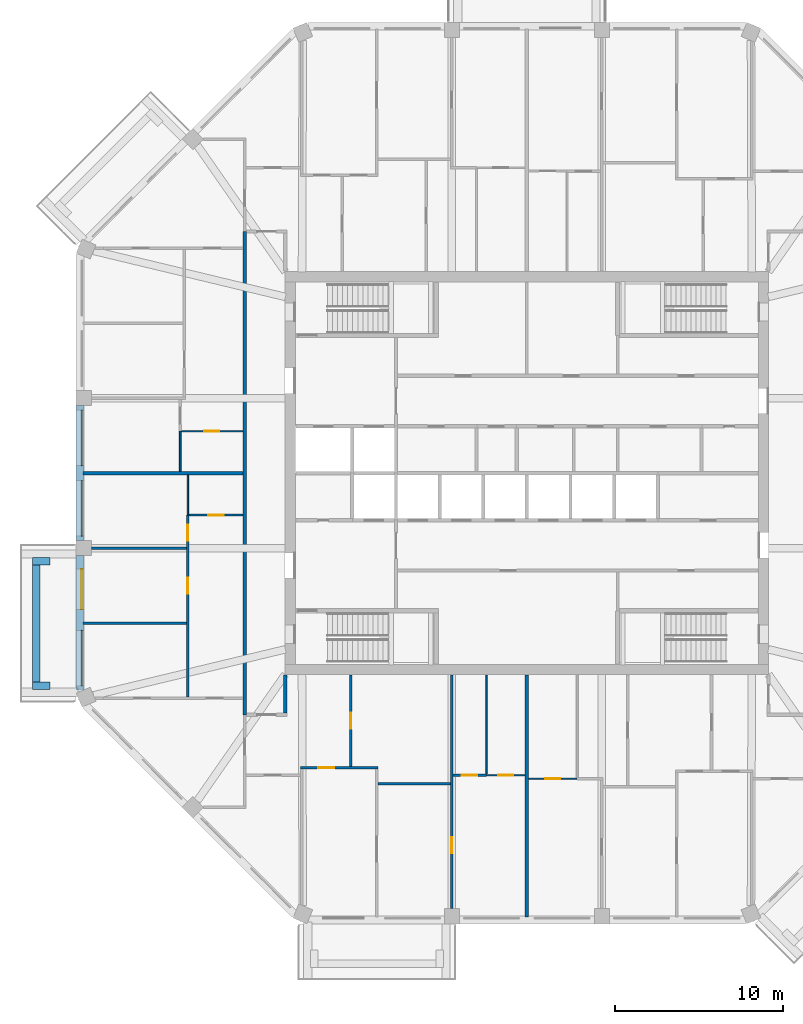
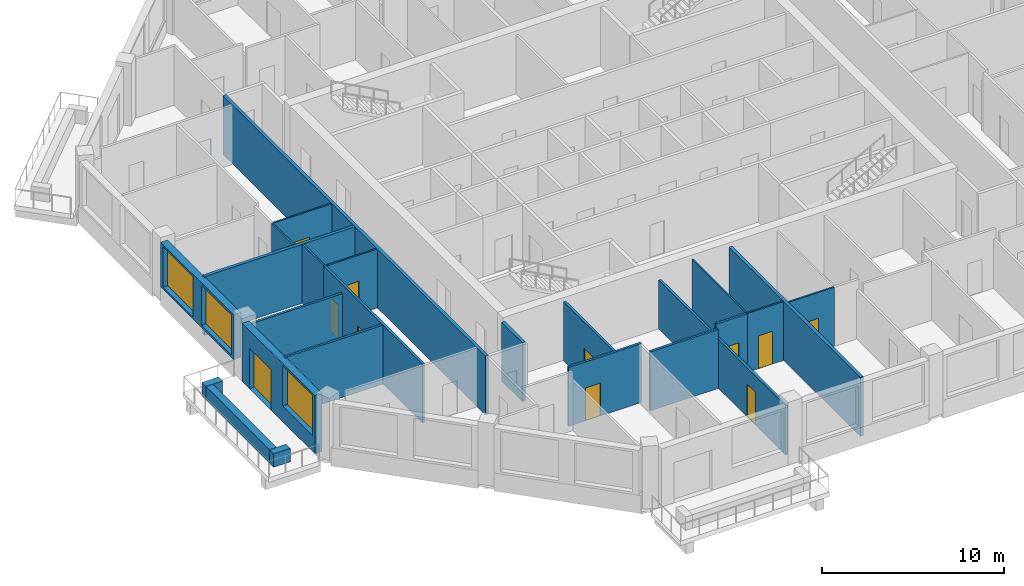
# One storey, part 3 of 11: 24 walls, 11 doors, 3 windows, 14 openings.
"""IFC4 building model written with IfcOpenShell, lengths in metres."""

from ifc_helpers import new_model, si_unit, direction, frame, frame_2d, origin, place, context, subcontext, project, spatial, rectangle, extrude, material, layer, layer_set, type_object, element, fill, save


model = new_model("IFC4")

# Units and contexts
model_context = context("Model", 3, precision=1e-05, world=origin(), true_north=direction((0.0, 1.0)))
body_context = subcontext(model_context, "Body", "Model", "MODEL_VIEW")
ifc_project = project(units=[si_unit("LENGTHUNIT", "METRE"), si_unit("AREAUNIT", "SQUARE_METRE"), si_unit("VOLUMEUNIT", "CUBIC_METRE"), si_unit("PLANEANGLEUNIT", "RADIAN"), si_unit("MASSUNIT", "GRAM", prefix="KILO")], contexts=[model_context])

# Site, building, storey
site_placement = place(None, origin())
site = spatial("IfcSite", under=ifc_project, at=site_placement, CompositionType="ELEMENT")
building_placement = place(site_placement, origin())
building = spatial("IfcBuilding", under=site, at=building_placement, Name="Msitu Wima Residences", CompositionType="ELEMENT")
storey_placement = place(building_placement, frame((0.0, 0.0, 230.699951171875)))
storey = spatial("IfcBuildingStorey", under=building, at=storey_placement, Name="L53", CompositionType="ELEMENT", Elevation=230.699951171875)

# Walls
ifc_material_1 = material(Name="Facing brick")
ifc_layer_1 = layer(ifc_material_1, 0.06494140625, Name="Facing brick")
ifc_material_2 = material(Name="Concrete C40/50", Category="concrete")
ifc_layer_2 = layer(ifc_material_2, 0.156005859375, Name="Concrete C40/50")
ifc_material_3 = material(Name="Waterproofing membrane")
ifc_layer_3 = layer(ifc_material_3, 0.00390625, Name="Waterproofing membrane")
ifc_material_4 = material(Name="Planting soil and planting")
ifc_layer_4 = layer(ifc_material_4, 0.22509765625, Name="Planting soil and planting")
ifc_layer_set_1 = layer_set([ifc_layer_1, ifc_layer_2, ifc_layer_3, ifc_layer_4], Name="Concrete C40/50")
wall_type_1 = type_object("IfcWallType", Name="Balcony planter PLANTER PL450", PredefinedType="USERDEFINED", material=ifc_layer_set_1)
wall_1_placement = place(storey_placement, frame((-29.22509765625, -5.468505859375, 0.0), z_axis=(0.0, 0.0, 1.0), x_axis=(0.0, -1.0, 0.0)))
element("IfcWall", 1, at=wall_1_placement, inside=storey, type_object=wall_type_1, Name="Balcony planter W2 L53", ObjectType="PLANTER", PredefinedType="USERDEFINED", context=body_context, shape_type="SweptSolid", body=[
    extrude(rectangle(XDim=6.9873046875, YDim=0.449951171875, at=frame_2d((3.49365234375, 0.0))), origin(), (0.0, 0.0, 1.0), 0.900146484375),
])
for number, where, z_axis, x_axis, name in (
    (2, (-28.39990234375, -5.24365234375, 0.0), (0.0, 0.0, 1.0), (-1.0, 0.0, 0.0), "Balcony planter W2 L53"),
    (3, (-28.39990234375, -12.680908203125, 0.0), (0.0, 0.0, 1.0), (-1.0, 0.0, 0.0), "Balcony planter W2 L53"),
):
    element("IfcWall", number, at=place(storey_placement, frame(where, z_axis=z_axis, x_axis=x_axis)), inside=storey, type_object=wall_type_1, Name=name, ObjectType="PLANTER", PredefinedType="USERDEFINED", context=body_context, shape_type="SweptSolid", body=[
        extrude(rectangle(XDim=1.050048828125, YDim=0.449951171875, at=frame_2d((0.52490234375, 0.0))), origin(), (0.0, 0.0, 1.0), 0.900146484375),
    ])

# Wall, openings, windows
ifc_material_5 = material(Name="Brick (red buff mix)", Category="masonry")
ifc_layer_5 = layer(ifc_material_5, 0.449951171875)
ifc_layer_set_2 = layer_set([ifc_layer_5], Name="Brick (red buff mix)")
wall_type_2 = type_object("IfcWallType", Name="Brick infill wall BW450", PredefinedType="SOLIDWALL", material=ifc_layer_set_2)
wall_2_placement = place(storey_placement, frame((-26.625, 4.0185546875, 0.900146484375), z_axis=(0.0, 0.0, 1.0), x_axis=(0.0, -1.0, 0.0)))
wall_2 = element("IfcWall", 4, at=wall_2_placement, inside=storey, type_object=wall_type_2, Name="Brick infill wall L53 W1", PredefinedType="SOLIDWALL", context=body_context, shape_type="SweptSolid", body=[
    extrude(rectangle(XDim=8.037109375, YDim=0.449951171875, at=frame_2d((4.0185546875, 0.0))), origin(), (0.0, 0.0, 1.0), 3.0),
])
opening_1_placement = place(wall_2_placement, frame((0.2685546875, 0.0, 0.14990234375)))
opening_1 = element("IfcOpeningElement", 5, at=opening_1_placement, cuts=wall_2, Name="Opening W52-54.031", PredefinedType="OPENING", context=body_context, shape_type="SweptSolid", body=[
    extrude(rectangle(XDim=3.300048828125, YDim=2.699951171875, at=frame_2d((1.64990234375, 1.35009765625))), frame((0.0, 0.23486328125, 0.0), z_axis=(0.0, -1.0, 0.0), x_axis=(1.0, 0.0, 0.0)), (0.0, 0.0, 1.0), 0.469970703125),
])
opening_2_placement = place(wall_2_placement, frame((4.46875, 0.0, 0.14990234375)))
opening_2 = element("IfcOpeningElement", 6, at=opening_2_placement, cuts=wall_2, Name="Opening W52-54.032", PredefinedType="OPENING", context=body_context, shape_type="SweptSolid", body=[
    extrude(rectangle(XDim=3.300048828125, YDim=2.699951171875, at=frame_2d((1.64990234375, 1.35009765625))), frame((0.0, 0.23486328125, 0.0), z_axis=(0.0, -1.0, 0.0), x_axis=(1.0, 0.0, 0.0)), (0.0, 0.0, 1.0), 0.469970703125),
])
ifc_material_6 = material(Name="Anodised aluminium, bronze finish, clear low-emissivity double glazing", Category="aluminium")
window_type = type_object("IfcWindowType", Name="Window W3300x2700", PartitioningType="DOUBLE_PANEL_VERTICAL", PredefinedType="WINDOW", material=ifc_material_6)
window_1_placement = place(opening_1_placement, origin())
window_1 = element("IfcWindow", 7, at=window_1_placement, inside=storey, type_object=window_type, Name="Window L53 W1.1", OverallHeight=2.699951171875, OverallWidth=3.300048828125, PartitioningType="SINGLE_PANEL", PredefinedType="WINDOW", context=body_context, shape_type="SweptSolid", body=[
    extrude(rectangle(XDim=3.300048828125, YDim=2.699951171875, at=frame_2d((1.64990234375, 1.35009765625))), frame((0.0, 0.135009765625, 0.0), z_axis=(0.0, -1.0, 0.0), x_axis=(1.0, 0.0, 0.0)), (0.0, 0.0, 1.0), 0.06005859375),
])
fill(opening_1, window_1)
window_2_placement = place(opening_2_placement, origin())
window_2 = element("IfcWindow", 8, at=window_2_placement, inside=storey, type_object=window_type, Name="Window L53 W1.2", OverallHeight=2.699951171875, OverallWidth=3.300048828125, PartitioningType="SINGLE_PANEL", PredefinedType="WINDOW", context=body_context, shape_type="SweptSolid", body=[
    extrude(rectangle(XDim=3.300048828125, YDim=2.699951171875, at=frame_2d((1.64990234375, 1.35009765625))), frame((0.0, 0.135009765625, 0.0), z_axis=(0.0, -1.0, 0.0), x_axis=(1.0, 0.0, 0.0)), (0.0, 0.0, 1.0), 0.06005859375),
])
fill(opening_2, window_2)

# Wall, openings, door, window
wall_3_placement = place(storey_placement, frame((-26.625, -4.918701171875, 0.0), z_axis=(0.0, 0.0, 1.0), x_axis=(0.0, -1.0, 0.0)))
wall_3 = element("IfcWall", 9, at=wall_3_placement, inside=storey, type_object=wall_type_2, Name="Brick infill wall L53 W2", PredefinedType="SOLIDWALL", context=body_context, shape_type="SweptSolid", body=[
    extrude(rectangle(XDim=8.0, YDim=0.449951171875, at=frame_2d((4.0, 0.0))), origin(), (0.0, 0.0, 1.0), 3.900146484375),
])
opening_3_placement = place(wall_3_placement, frame((0.800048828125, 0.0, 0.0)))
opening_3 = element("IfcOpeningElement", 10, at=opening_3_placement, cuts=wall_3, Name="Opening D52-54.007", PredefinedType="OPENING", context=body_context, shape_type="SweptSolid", body=[
    extrude(rectangle(XDim=2.39990234375, YDim=2.699951171875, at=frame_2d((1.199951171875, 1.35009765625))), frame((0.0, 0.23486328125, 0.0), z_axis=(0.0, -1.0, 0.0), x_axis=(1.0, 0.0, 0.0)), (0.0, 0.0, 1.0), 0.469970703125),
])
opening_4_placement = place(wall_3_placement, frame((4.4501953125, 0.0, 1.050048828125)))
opening_4 = element("IfcOpeningElement", 11, at=opening_4_placement, cuts=wall_3, Name="Opening W52-54.033", PredefinedType="OPENING", context=body_context, shape_type="SweptSolid", body=[
    extrude(rectangle(XDim=3.300048828125, YDim=2.699951171875, at=frame_2d((1.64990234375, 1.35009765625))), frame((0.0, 0.23486328125, 0.0), z_axis=(0.0, -1.0, 0.0), x_axis=(1.0, 0.0, 0.0)), (0.0, 0.0, 1.0), 0.469970703125),
])
door_type_1 = type_object("IfcDoorType", Name="Balcony door D2400x2700", OperationType="SLIDING_TO_LEFT", PredefinedType="DOOR", material=ifc_material_6)
door_1_placement = place(opening_3_placement, origin())
door_1 = element("IfcDoor", 12, at=door_1_placement, inside=storey, type_object=door_type_1, Name="Balcony door L53 W2", OperationType="SINGLE_SWING_LEFT", OverallHeight=2.699951171875, OverallWidth=2.39990234375, PredefinedType="DOOR", context=body_context, shape_type="SweptSolid", body=[
    extrude(rectangle(XDim=2.39990234375, YDim=2.699951171875, at=frame_2d((1.199951171875, 1.35009765625))), frame((0.0, 0.1298828125, 0.0), z_axis=(0.0, -1.0, 0.0), x_axis=(1.0, 0.0, 0.0)), (0.0, 0.0, 1.0), 0.050048828125),
])
fill(opening_3, door_1)
window_3_placement = place(opening_4_placement, origin())
window_3 = element("IfcWindow", 13, at=window_3_placement, inside=storey, type_object=window_type, Name="Window L53 W2.2", OverallHeight=2.699951171875, OverallWidth=3.300048828125, PartitioningType="SINGLE_PANEL", PredefinedType="WINDOW", context=body_context, shape_type="SweptSolid", body=[
    extrude(rectangle(XDim=3.300048828125, YDim=2.699951171875, at=frame_2d((1.64990234375, 1.35009765625))), frame((0.0, 0.135009765625, 0.0), z_axis=(0.0, -1.0, 0.0), x_axis=(1.0, 0.0, 0.0)), (0.0, 0.0, 1.0), 0.06005859375),
])
fill(opening_4, window_3)

# Walls
ifc_material_7 = material(Name="Plaster")
ifc_layer_6 = layer(ifc_material_7, 0.011962890625, Name="Plaster")
ifc_material_8 = material(Name="Concrete blockwork", Category="masonry")
ifc_layer_7 = layer(ifc_material_8, 0.176025390625, Name="Concrete blockwork")
ifc_layer_8 = layer(ifc_material_7, 0.011962890625, Name="Plaster")
ifc_layer_set_3 = layer_set([ifc_layer_6, ifc_layer_7, ifc_layer_8], Name="Concrete blockwork")
wall_type_3 = type_object("IfcWallType", Name="Corridor wall FW200", PredefinedType="PARTITIONING", material=ifc_layer_set_3)
wall_4_placement = place(storey_placement, frame((-16.800048828125, -14.39990234375, 0.0), z_axis=(0.0, 0.0, 1.0), x_axis=(0.0, 1.0, 0.0)))
element("IfcWall", 14, at=wall_4_placement, inside=storey, type_object=wall_type_3, Name="Corridor wall", PredefinedType="PARTITIONING", context=body_context, shape_type="SweptSolid", body=[
    extrude(rectangle(XDim=28.7998046875, YDim=0.199951171875, at=frame_2d((14.39990234375, 0.0))), origin(), (0.0, 0.0, 1.0), 3.949951171875),
])
wall_5_placement = place(storey_placement, frame((-14.39990234375, -14.300048828125, 0.0), z_axis=(0.0, 0.0, 1.0), x_axis=(0.0, 1.0, 0.0)))
element("IfcWall", 15, at=wall_5_placement, inside=storey, type_object=wall_type_3, Name="Corridor wall", PredefinedType="PARTITIONING", context=body_context, shape_type="SweptSolid", body=[
    extrude(rectangle(XDim=2.27001953125, YDim=0.199951171875, at=frame_2d((1.135009765625, 0.0))), origin(), (0.0, 0.0, 1.0), 3.949951171875),
])
ifc_layer_9 = layer(ifc_material_7, 0.011962890625, Name="Plaster")
ifc_layer_10 = layer(ifc_material_8, 0.1259765625, Name="Concrete blockwork")
ifc_layer_11 = layer(ifc_material_7, 0.011962890625, Name="Plaster")
ifc_layer_set_4 = layer_set([ifc_layer_9, ifc_layer_10, ifc_layer_11], Name="Concrete blockwork")
wall_type_4 = type_object("IfcWallType", Name="Partition PW150", PredefinedType="PARTITIONING", material=ifc_layer_set_4)
wall_6_placement = place(storey_placement, frame((-26.455078125, -8.937255859375, 0.0), z_axis=(0.0, 0.0, 1.0), x_axis=(1.0, 0.0, 0.0)))
element("IfcWall", 16, at=wall_6_placement, inside=storey, type_object=wall_type_4, Name="Partition", PredefinedType="PARTITIONING", context=body_context, shape_type="SweptSolid", body=[
    extrude(rectangle(XDim=6.18017578125, YDim=0.14990234375, at=frame_2d((3.090087890625, 0.0))), origin(), (0.0, 0.0, 1.0), 3.949951171875),
])
wall_7_placement = place(storey_placement, frame((-25.949951171875, -4.46875, 0.0), z_axis=(0.0, 0.0, 1.0), x_axis=(1.0, 0.0, 0.0)))
element("IfcWall", 17, at=wall_7_placement, inside=storey, type_object=wall_type_4, Name="Partition", PredefinedType="PARTITIONING", context=body_context, shape_type="SweptSolid", body=[
    extrude(rectangle(XDim=5.675048828125, YDim=0.14990234375, at=frame_2d((2.83740234375, 0.0))), origin(), (0.0, 0.0, 1.0), 3.35009765625),
])

# Wall, openings, doors
wall_8_placement = place(storey_placement, frame((-20.199951171875, -13.330810546875, 0.0), z_axis=(0.0, 0.0, 1.0), x_axis=(0.0, 1.0, 0.0)))
wall_8 = element("IfcWall", 18, at=wall_8_placement, inside=storey, type_object=wall_type_4, Name="Partition", PredefinedType="PARTITIONING", context=body_context, shape_type="SweptSolid", body=[
    extrude(rectangle(XDim=10.830810546875, YDim=0.14990234375, at=frame_2d((5.41552734375, 0.0))), origin(), (0.0, 0.0, 1.0), 3.949951171875),
])
opening_5_placement = place(wall_8_placement, frame((9.300048828125, 0.0, 0.0)))
opening_5 = element("IfcOpeningElement", 19, at=opening_5_placement, cuts=wall_8, Name="Opening D52-54.048", PredefinedType="OPENING", context=body_context, shape_type="SweptSolid", body=[
    extrude(rectangle(XDim=0.949951171875, YDim=2.199951171875, at=frame_2d((0.47509765625, 1.10009765625))), frame((0.0, 0.0849609375, 0.0), z_axis=(0.0, -1.0, 0.0), x_axis=(1.0, 0.0, 0.0)), (0.0, 0.0, 1.0), 0.169921875),
])
opening_6_placement = place(wall_8_placement, frame((6.14990234375, 0.0, 0.0)))
opening_6 = element("IfcOpeningElement", 20, at=opening_6_placement, cuts=wall_8, Name="Opening D52-54.049", PredefinedType="OPENING", context=body_context, shape_type="SweptSolid", body=[
    extrude(rectangle(XDim=0.949951171875, YDim=2.199951171875, at=frame_2d((0.47509765625, 1.10009765625))), frame((0.0, 0.0849609375, 0.0), z_axis=(0.0, -1.0, 0.0), x_axis=(1.0, 0.0, 0.0)), (0.0, 0.0, 1.0), 0.169921875),
])
ifc_material_9 = material(Name="Timber flush door", Category="wood")
door_type_2 = type_object("IfcDoorType", Name="Room door D12 950x2200", OperationType="SINGLE_SWING_LEFT", PredefinedType="DOOR", material=ifc_material_9)
door_2_placement = place(opening_5_placement, origin())
door_2 = element("IfcDoor", 21, at=door_2_placement, inside=storey, type_object=door_type_2, Name="Room door", OperationType="SINGLE_SWING_LEFT", OverallHeight=2.199951171875, OverallWidth=0.949951171875, PredefinedType="DOOR", context=body_context, shape_type="SweptSolid", body=[
    extrude(rectangle(XDim=0.949951171875, YDim=2.199951171875, at=frame_2d((0.47509765625, 1.10009765625))), frame((0.0, 0.02490234375, 0.0), z_axis=(0.0, -1.0, 0.0), x_axis=(1.0, 0.0, 0.0)), (0.0, 0.0, 1.0), 0.050048828125),
])
fill(opening_5, door_2)
door_3_placement = place(opening_6_placement, origin())
door_3 = element("IfcDoor", 22, at=door_3_placement, inside=storey, type_object=door_type_2, Name="Room door", OperationType="SINGLE_SWING_LEFT", OverallHeight=2.199951171875, OverallWidth=0.949951171875, PredefinedType="DOOR", context=body_context, shape_type="SweptSolid", body=[
    extrude(rectangle(XDim=0.949951171875, YDim=2.199951171875, at=frame_2d((0.47509765625, 1.10009765625))), frame((0.0, 0.02490234375, 0.0), z_axis=(0.0, -1.0, 0.0), x_axis=(1.0, 0.0, 0.0)), (0.0, 0.0, 1.0), 0.050048828125),
])
fill(opening_6, door_3)

# Wall, opening, door
wall_9_placement = place(storey_placement, frame((-13.48095703125, -17.550048828125, 0.0), z_axis=(0.0, 0.0, 1.0), x_axis=(1.0, 0.0, 0.0)))
wall_9 = element("IfcWall", 23, at=wall_9_placement, inside=storey, type_object=wall_type_4, Name="Partition", PredefinedType="PARTITIONING", context=body_context, shape_type="SweptSolid", body=[
    extrude(rectangle(XDim=4.61865234375, YDim=0.14990234375, at=frame_2d((2.309326171875, 0.0))), origin(), (0.0, 0.0, 1.0), 3.949951171875),
])
opening_7_placement = place(wall_9_placement, frame((1.050048828125, 0.0, 0.0)))
opening_7 = element("IfcOpeningElement", 24, at=opening_7_placement, cuts=wall_9, Name="Opening D52-54.043", PredefinedType="OPENING", context=body_context, shape_type="SweptSolid", body=[
    extrude(rectangle(XDim=0.949951171875, YDim=2.199951171875, at=frame_2d((0.47509765625, 1.10009765625))), frame((0.0, 0.0849609375, 0.0), z_axis=(0.0, -1.0, 0.0), x_axis=(1.0, 0.0, 0.0)), (0.0, 0.0, 1.0), 0.169921875),
])
door_4_placement = place(opening_7_placement, origin())
door_4 = element("IfcDoor", 25, at=door_4_placement, inside=storey, type_object=door_type_2, Name="Room door", OperationType="SINGLE_SWING_RIGHT", OverallHeight=2.199951171875, OverallWidth=0.949951171875, PredefinedType="DOOR", context=body_context, shape_type="SweptSolid", body=[
    extrude(rectangle(XDim=0.949951171875, YDim=2.199951171875, at=frame_2d((0.47509765625, 1.10009765625))), frame((0.0, 0.02490234375, 0.0), z_axis=(0.0, -1.0, 0.0), x_axis=(1.0, 0.0, 0.0)), (0.0, 0.0, 1.0), 0.050048828125),
])
fill(opening_7, door_4)

wall_10_placement = place(storey_placement, frame((-10.5, -17.47509765625, 0.0), z_axis=(0.0, 0.0, 1.0), x_axis=(0.0, 1.0, 0.0)))
wall_10 = element("IfcWall", 26, at=wall_10_placement, inside=storey, type_object=wall_type_4, Name="Partition", PredefinedType="PARTITIONING", context=body_context, shape_type="SweptSolid", body=[
    extrude(rectangle(XDim=5.445068359375, YDim=0.14990234375, at=frame_2d((2.72265625, 0.0))), origin(), (0.0, 0.0, 1.0), 3.949951171875),
])
opening_8_placement = place(wall_10_placement, frame((2.25, 0.0, 0.0)))
opening_8 = element("IfcOpeningElement", 27, at=opening_8_placement, cuts=wall_10, Name="Opening D52-54.038", PredefinedType="OPENING", context=body_context, shape_type="SweptSolid", body=[
    extrude(rectangle(XDim=0.949951171875, YDim=2.199951171875, at=frame_2d((0.47509765625, 1.10009765625))), frame((0.0, 0.0849609375, 0.0), z_axis=(0.0, -1.0, 0.0), x_axis=(1.0, 0.0, 0.0)), (0.0, 0.0, 1.0), 0.169921875),
])
door_5_placement = place(opening_8_placement, origin())
door_5 = element("IfcDoor", 28, at=door_5_placement, inside=storey, type_object=door_type_2, Name="Room door", OperationType="SINGLE_SWING_RIGHT", OverallHeight=2.199951171875, OverallWidth=0.949951171875, PredefinedType="DOOR", context=body_context, shape_type="SweptSolid", body=[
    extrude(rectangle(XDim=0.949951171875, YDim=2.199951171875, at=frame_2d((0.47509765625, 1.10009765625))), frame((0.0, 0.02490234375, 0.0), z_axis=(0.0, -1.0, 0.0), x_axis=(1.0, 0.0, 0.0)), (0.0, 0.0, 1.0), 0.050048828125),
])
fill(opening_8, door_5)

# Wall
wall_11_placement = place(storey_placement, frame((-8.8623046875, -18.5, 0.0), z_axis=(0.0, 0.0, 1.0), x_axis=(1.0, 0.0, 0.0)))
element("IfcWall", 29, at=wall_11_placement, inside=storey, type_object=wall_type_4, Name="Partition", PredefinedType="PARTITIONING", context=body_context, shape_type="SweptSolid", body=[
    extrude(rectangle(XDim=4.318603515625, YDim=0.14990234375, at=frame_2d((2.1591796875, 0.0))), origin(), (0.0, 0.0, 1.0), 3.949951171875),
])

# Wall, opening, door
wall_12_placement = place(storey_placement, frame((-4.46875, -25.949951171875, 0.0), z_axis=(0.0, 0.0, 1.0), x_axis=(0.0, 1.0, 0.0)))
wall_12 = element("IfcWall", 30, at=wall_12_placement, inside=storey, type_object=wall_type_4, Name="Partition", PredefinedType="PARTITIONING", context=body_context, shape_type="SweptSolid", body=[
    extrude(rectangle(XDim=13.919921875, YDim=0.14990234375, at=frame_2d((6.9599609375, 0.0))), origin(), (0.0, 0.0, 1.0), 3.300048828125),
])
opening_9_placement = place(wall_12_placement, frame((3.300048828125, 0.0, 0.0)))
opening_9 = element("IfcOpeningElement", 31, at=opening_9_placement, cuts=wall_12, Name="Opening D52-54.039", PredefinedType="OPENING", context=body_context, shape_type="SweptSolid", body=[
    extrude(rectangle(XDim=0.949951171875, YDim=2.199951171875, at=frame_2d((0.47509765625, 1.10009765625))), frame((0.0, 0.0849609375, 0.0), z_axis=(0.0, -1.0, 0.0), x_axis=(1.0, 0.0, 0.0)), (0.0, 0.0, 1.0), 0.169921875),
])
door_6_placement = place(opening_9_placement, origin())
door_6 = element("IfcDoor", 32, at=door_6_placement, inside=storey, type_object=door_type_2, Name="Room door", OperationType="SINGLE_SWING_RIGHT", OverallHeight=2.199951171875, OverallWidth=0.949951171875, PredefinedType="DOOR", context=body_context, shape_type="SweptSolid", body=[
    extrude(rectangle(XDim=0.949951171875, YDim=2.199951171875, at=frame_2d((0.47509765625, 1.10009765625))), frame((0.0, 0.02490234375, 0.0), z_axis=(0.0, -1.0, 0.0), x_axis=(1.0, 0.0, 0.0)), (0.0, 0.0, 1.0), 0.050048828125),
])
fill(opening_9, door_6)

wall_13_placement = place(storey_placement, frame((-4.3935546875, -18.0, 0.0), z_axis=(0.0, 0.0, 1.0), x_axis=(1.0, 0.0, 0.0)))
wall_13 = element("IfcWall", 33, at=wall_13_placement, inside=storey, type_object=wall_type_4, Name="Partition", PredefinedType="PARTITIONING", context=body_context, shape_type="SweptSolid", body=[
    extrude(rectangle(XDim=1.99365234375, YDim=0.14990234375, at=frame_2d((0.996826171875, 0.0))), origin(), (0.0, 0.0, 1.0), 3.949951171875),
])
opening_10_placement = place(wall_13_placement, frame((0.5, 0.0, 0.0)))
opening_10 = element("IfcOpeningElement", 34, at=opening_10_placement, cuts=wall_13, Name="Opening D52-54.042", PredefinedType="OPENING", context=body_context, shape_type="SweptSolid", body=[
    extrude(rectangle(XDim=0.949951171875, YDim=2.199951171875, at=frame_2d((0.47509765625, 1.10009765625))), frame((0.0, 0.0849609375, 0.0), z_axis=(0.0, -1.0, 0.0), x_axis=(1.0, 0.0, 0.0)), (0.0, 0.0, 1.0), 0.169921875),
])
door_7_placement = place(opening_10_placement, origin())
door_7 = element("IfcDoor", 35, at=door_7_placement, inside=storey, type_object=door_type_2, Name="Room door", OperationType="SINGLE_SWING_RIGHT", OverallHeight=2.199951171875, OverallWidth=0.949951171875, PredefinedType="DOOR", context=body_context, shape_type="SweptSolid", body=[
    extrude(rectangle(XDim=0.949951171875, YDim=2.199951171875, at=frame_2d((0.47509765625, 1.10009765625))), frame((0.0, 0.02490234375, 0.0), z_axis=(0.0, -1.0, 0.0), x_axis=(1.0, 0.0, 0.0)), (0.0, 0.0, 1.0), 0.050048828125),
])
fill(opening_10, door_7)

# Walls
ifc_layer_12 = layer(ifc_material_7, 0.011962890625, Name="Plaster")
ifc_material_10 = material(Name="Dense concrete blockwork", Category="masonry")
ifc_layer_13 = layer(ifc_material_10, 0.176025390625, Name="Dense concrete blockwork")
ifc_layer_14 = layer(ifc_material_7, 0.011962890625, Name="Plaster")
ifc_layer_set_5 = layer_set([ifc_layer_12, ifc_layer_13, ifc_layer_14], Name="Dense concrete blockwork")
wall_type_5 = type_object("IfcWallType", Name="Party wall PW200", PredefinedType="PARTITIONING", material=ifc_layer_set_5)
wall_14_placement = place(storey_placement, frame((-26.455078125, 0.0, 0.0), z_axis=(0.0, 0.0, 1.0), x_axis=(1.0, 0.0, 0.0)))
element("IfcWall", 36, at=wall_14_placement, inside=storey, type_object=wall_type_5, Name="Party wall", PredefinedType="PARTITIONING", context=body_context, shape_type="SweptSolid", body=[
    extrude(rectangle(XDim=9.55517578125, YDim=0.199951171875, at=frame_2d((4.777587890625, 0.0))), origin(), (0.0, 0.0, 1.0), 3.949951171875),
])
wall_15_placement = place(storey_placement, frame((0.0, -26.455078125, 0.0), z_axis=(0.0, 0.0, 1.0), x_axis=(0.0, 1.0, 0.0)))
element("IfcWall", 37, at=wall_15_placement, inside=storey, type_object=wall_type_5, Name="Party wall", PredefinedType="PARTITIONING", context=body_context, shape_type="SweptSolid", body=[
    extrude(rectangle(XDim=14.425048828125, YDim=0.199951171875, at=frame_2d((7.21240234375, 0.0))), origin(), (0.0, 0.0, 1.0), 3.949951171875),
])
ifc_material_11 = material(Name="Ceramic tiles")
ifc_layer_15 = layer(ifc_material_11, 0.008056640625, Name="Ceramic tiles")
ifc_material_12 = material(Name="Moisture-resistant board")
ifc_layer_16 = layer(ifc_material_12, 0.012451171875, Name="Moisture-resistant board")
ifc_material_13 = material(Name="Light-gauge stud framing with mineral wool")
ifc_layer_17 = layer(ifc_material_13, 0.06689453125, Name="Light-gauge stud framing with mineral wool")
ifc_layer_18 = layer(ifc_material_12, 0.012451171875, Name="Moisture-resistant board")
ifc_layer_set_6 = layer_set([ifc_layer_15, ifc_layer_16, ifc_layer_17, ifc_layer_18], Name="Light-gauge stud framing with mineral wool")
wall_type_6 = type_object("IfcWallType", Name="Wet wall PW100", PredefinedType="PARTITIONING", material=ifc_layer_set_6)
wall_16_placement = place(storey_placement, frame((-20.64990234375, 0.10009765625, 0.0), z_axis=(0.0, 0.0, 1.0), x_axis=(0.0, 1.0, 0.0)))
element("IfcWall", 38, at=wall_16_placement, inside=storey, type_object=wall_type_6, Name="Wet wall", PredefinedType="PARTITIONING", context=body_context, shape_type="SweptSolid", body=[
    extrude(rectangle(XDim=2.39990234375, YDim=0.10009765625, at=frame_2d((1.199951171875, 0.0))), origin(), (0.0, 0.0, 1.0), 3.949951171875),
])

# Wall, opening, door
wall_17_placement = place(storey_placement, frame((-20.574951171875, 2.5, 0.0), z_axis=(0.0, 0.0, 1.0), x_axis=(1.0, 0.0, 0.0)))
wall_17 = element("IfcWall", 39, at=wall_17_placement, inside=storey, type_object=wall_type_6, Name="Wet wall", PredefinedType="PARTITIONING", context=body_context, shape_type="SweptSolid", body=[
    extrude(rectangle(XDim=3.675048828125, YDim=0.10009765625, at=frame_2d((1.83740234375, 0.0))), origin(), (0.0, 0.0, 1.0), 3.949951171875),
])
opening_11_placement = place(wall_17_placement, frame((1.35009765625, 0.0, 0.0)))
opening_11 = element("IfcOpeningElement", 40, at=opening_11_placement, cuts=wall_17, Name="Opening D52-54.026", PredefinedType="OPENING", context=body_context, shape_type="SweptSolid", body=[
    extrude(rectangle(XDim=0.89990234375, YDim=2.199951171875, at=frame_2d((0.449951171875, 1.10009765625))), frame((0.0, 0.06005859375, 0.0), z_axis=(0.0, -1.0, 0.0), x_axis=(1.0, 0.0, 0.0)), (0.0, 0.0, 1.0), 0.1201171875),
])
ifc_material_14 = material(Name="Timber flush door, moisture resistant", Category="wood")
door_type_3 = type_object("IfcDoorType", Name="Bathroom door D03 900x2200", OperationType="SINGLE_SWING_LEFT", PredefinedType="DOOR", material=ifc_material_14)
door_8_placement = place(opening_11_placement, origin())
door_8 = element("IfcDoor", 41, at=door_8_placement, inside=storey, type_object=door_type_3, Name="Bathroom door", OperationType="SINGLE_SWING_RIGHT", OverallHeight=2.199951171875, OverallWidth=0.89990234375, PredefinedType="DOOR", context=body_context, shape_type="SweptSolid", body=[
    extrude(rectangle(XDim=0.89990234375, YDim=2.199951171875, at=frame_2d((0.449951171875, 1.10009765625))), frame((0.0, 0.02490234375, 0.0), z_axis=(0.0, -1.0, 0.0), x_axis=(1.0, 0.0, 0.0)), (0.0, 0.0, 1.0), 0.050048828125),
])
fill(opening_11, door_8)

# Wall
wall_18_placement = place(storey_placement, frame((-20.199951171875, -2.5, 0.0), z_axis=(0.0, 0.0, 1.0), x_axis=(0.0, 1.0, 0.0)))
element("IfcWall", 42, at=wall_18_placement, inside=storey, type_object=wall_type_6, Name="Wet wall", PredefinedType="PARTITIONING", context=body_context, shape_type="SweptSolid", body=[
    extrude(rectangle(XDim=2.39990234375, YDim=0.10009765625, at=frame_2d((1.199951171875, 0.0))), origin(), (0.0, 0.0, 1.0), 3.949951171875),
])

# Wall, opening, door
wall_19_placement = place(storey_placement, frame((-20.125, -2.5, 0.0), z_axis=(0.0, 0.0, 1.0), x_axis=(1.0, 0.0, 0.0)))
wall_19 = element("IfcWall", 43, at=wall_19_placement, inside=storey, type_object=wall_type_6, Name="Wet wall", PredefinedType="PARTITIONING", context=body_context, shape_type="SweptSolid", body=[
    extrude(rectangle(XDim=3.22509765625, YDim=0.10009765625, at=frame_2d((1.612548828125, 0.0))), origin(), (0.0, 0.0, 1.0), 3.949951171875),
])
opening_12_placement = place(wall_19_placement, frame((1.14990234375, 0.0, 0.0)))
opening_12 = element("IfcOpeningElement", 44, at=opening_12_placement, cuts=wall_19, Name="Opening D52-54.040", PredefinedType="OPENING", context=body_context, shape_type="SweptSolid", body=[
    extrude(rectangle(XDim=0.89990234375, YDim=2.199951171875, at=frame_2d((0.449951171875, 1.10009765625))), frame((0.0, 0.06005859375, 0.0), z_axis=(0.0, -1.0, 0.0), x_axis=(1.0, 0.0, 0.0)), (0.0, 0.0, 1.0), 0.1201171875),
])
door_9_placement = place(opening_12_placement, origin())
door_9 = element("IfcDoor", 45, at=door_9_placement, inside=storey, type_object=door_type_3, Name="Bathroom door", OperationType="SINGLE_SWING_LEFT", OverallHeight=2.199951171875, OverallWidth=0.89990234375, PredefinedType="DOOR", context=body_context, shape_type="SweptSolid", body=[
    extrude(rectangle(XDim=0.89990234375, YDim=2.199951171875, at=frame_2d((0.449951171875, 1.10009765625))), frame((0.0, 0.02490234375, 0.0), z_axis=(0.0, -1.0, 0.0), x_axis=(1.0, 0.0, 0.0)), (0.0, 0.0, 1.0), 0.050048828125),
])
fill(opening_12, door_9)

# Wall
wall_20_placement = place(storey_placement, frame((-2.39990234375, -17.925048828125, 0.0), z_axis=(0.0, 0.0, 1.0), x_axis=(0.0, 1.0, 0.0)))
element("IfcWall", 46, at=wall_20_placement, inside=storey, type_object=wall_type_6, Name="Wet wall", PredefinedType="PARTITIONING", context=body_context, shape_type="SweptSolid", body=[
    extrude(rectangle(XDim=5.89501953125, YDim=0.10009765625, at=frame_2d((2.947509765625, 0.0))), origin(), (0.0, 0.0, 1.0), 3.949951171875),
])

# Wall, opening, door
wall_21_placement = place(storey_placement, frame((-2.39990234375, -18.0, 0.0), z_axis=(0.0, 0.0, 1.0), x_axis=(1.0, 0.0, 0.0)))
wall_21 = element("IfcWall", 47, at=wall_21_placement, inside=storey, type_object=wall_type_6, Name="Wet wall", PredefinedType="PARTITIONING", context=body_context, shape_type="SweptSolid", body=[
    extrude(rectangle(XDim=2.2998046875, YDim=0.10009765625, at=frame_2d((1.14990234375, 0.0))), origin(), (0.0, 0.0, 1.0), 3.949951171875),
])
opening_13_placement = place(wall_21_placement, frame((0.699951171875, 0.0, 0.0)))
opening_13 = element("IfcOpeningElement", 48, at=opening_13_placement, cuts=wall_21, Name="Opening D52-54.041", PredefinedType="OPENING", context=body_context, shape_type="SweptSolid", body=[
    extrude(rectangle(XDim=0.89990234375, YDim=2.199951171875, at=frame_2d((0.449951171875, 1.10009765625))), frame((0.0, 0.06005859375, 0.0), z_axis=(0.0, -1.0, 0.0), x_axis=(1.0, 0.0, 0.0)), (0.0, 0.0, 1.0), 0.1201171875),
])
door_10_placement = place(opening_13_placement, origin())
door_10 = element("IfcDoor", 49, at=door_10_placement, inside=storey, type_object=door_type_3, Name="Bathroom door", OperationType="SINGLE_SWING_LEFT", OverallHeight=2.199951171875, OverallWidth=0.89990234375, PredefinedType="DOOR", context=body_context, shape_type="SweptSolid", body=[
    extrude(rectangle(XDim=0.89990234375, YDim=2.199951171875, at=frame_2d((0.449951171875, 1.10009765625))), frame((0.0, 0.02490234375, 0.0), z_axis=(0.0, -1.0, 0.0), x_axis=(1.0, 0.0, 0.0)), (0.0, 0.0, 1.0), 0.050048828125),
])
fill(opening_13, door_10)

wall_22_placement = place(storey_placement, frame((0.10009765625, -18.199951171875, 0.0), z_axis=(0.0, 0.0, 1.0), x_axis=(1.0, 0.0, 0.0)))
wall_22 = element("IfcWall", 50, at=wall_22_placement, inside=storey, type_object=wall_type_6, Name="Wet wall", PredefinedType="PARTITIONING", context=body_context, shape_type="SweptSolid", body=[
    extrude(rectangle(XDim=2.89990234375, YDim=0.10009765625, at=frame_2d((1.449951171875, 0.0))), origin(), (0.0, 0.0, 1.0), 3.949951171875),
])
opening_14_placement = place(wall_22_placement, frame((1.0, 0.0, 0.0)))
opening_14 = element("IfcOpeningElement", 51, at=opening_14_placement, cuts=wall_22, Name="Opening D52-54.056", PredefinedType="OPENING", context=body_context, shape_type="SweptSolid", body=[
    extrude(rectangle(XDim=0.89990234375, YDim=2.199951171875, at=frame_2d((0.449951171875, 1.10009765625))), frame((0.0, 0.06005859375, 0.0), z_axis=(0.0, -1.0, 0.0), x_axis=(1.0, 0.0, 0.0)), (0.0, 0.0, 1.0), 0.1201171875),
])
door_11_placement = place(opening_14_placement, origin())
door_11 = element("IfcDoor", 52, at=door_11_placement, inside=storey, type_object=door_type_3, Name="Bathroom door", OperationType="SINGLE_SWING_RIGHT", OverallHeight=2.199951171875, OverallWidth=0.89990234375, PredefinedType="DOOR", context=body_context, shape_type="SweptSolid", body=[
    extrude(rectangle(XDim=0.89990234375, YDim=2.199951171875, at=frame_2d((0.449951171875, 1.10009765625))), frame((0.0, 0.02490234375, 0.0), z_axis=(0.0, -1.0, 0.0), x_axis=(1.0, 0.0, 0.0)), (0.0, 0.0, 1.0), 0.050048828125),
])
fill(opening_14, door_11)

save(model, "model.ifc")
